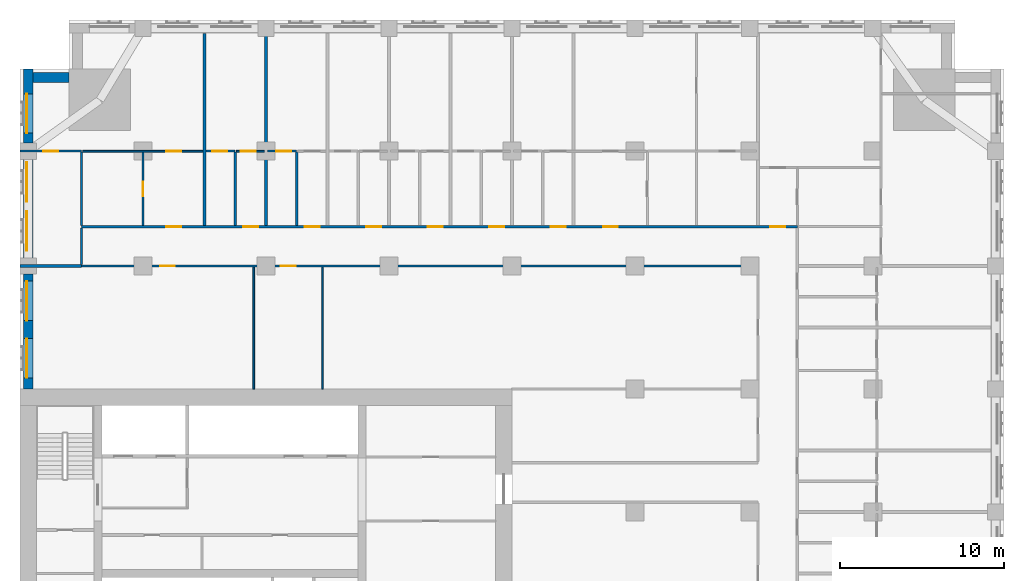
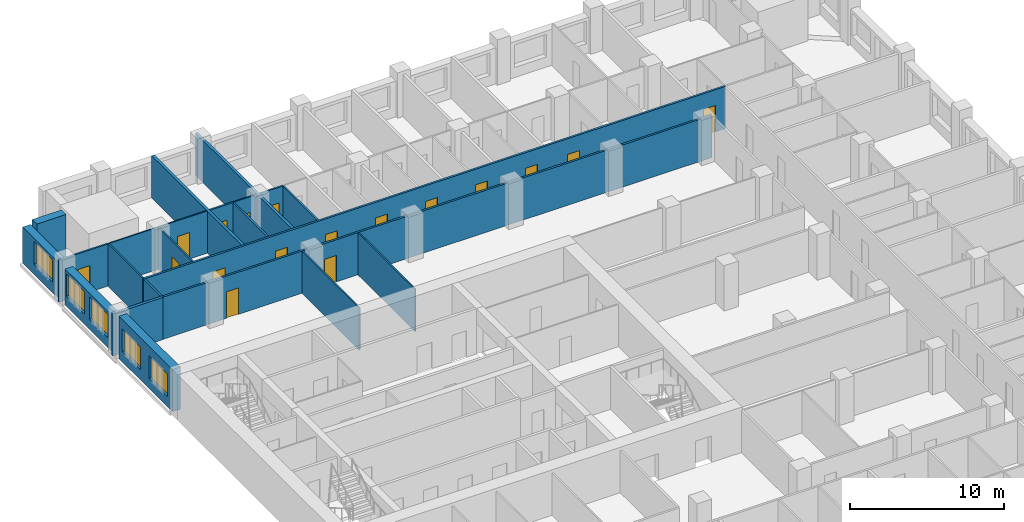
# One storey, part 9 of 15: 21 walls, 17 doors, 5 windows, 22 openings.
"""IFC4 building model written with IfcOpenShell, lengths in metres."""

from ifc_helpers import new_model, si_unit, direction, frame, frame_2d, origin, place, context, subcontext, project, spatial, rectangle, extrude, material, layer, layer_set, type_object, element, fill, save


model = new_model("IFC4")

# Units and contexts
model_context = context("Model", 3, precision=1e-05, world=origin(), true_north=direction((0.0, 1.0)))
body_context = subcontext(model_context, "Body", "Model", "MODEL_VIEW")
ifc_project = project(units=[si_unit("LENGTHUNIT", "METRE"), si_unit("AREAUNIT", "SQUARE_METRE"), si_unit("VOLUMEUNIT", "CUBIC_METRE"), si_unit("PLANEANGLEUNIT", "RADIAN"), si_unit("MASSUNIT", "GRAM", prefix="KILO")], contexts=[model_context])

# Site, building, storey
site_placement = place(None, origin())
site = spatial("IfcSite", under=ifc_project, at=site_placement, CompositionType="ELEMENT")
building_placement = place(site_placement, origin())
building = spatial("IfcBuilding", under=site, at=building_placement, Name="Tamorin Gate", CompositionType="ELEMENT")
storey_placement = place(building_placement, frame((0.0, 0.0, 111.5)))
storey = spatial("IfcBuildingStorey", under=building, at=storey_placement, Name="L27", CompositionType="ELEMENT", Elevation=111.5)

# Wall
ifc_material_1 = material(Name="Precast concrete C40/50", Category="concrete")
ifc_layer_1 = layer(ifc_material_1, 0.60009765625)
ifc_layer_set_1 = layer_set([ifc_layer_1], Name="Precast concrete C40/50")
wall_type_1 = type_object("IfcWallType", Name="Board-marked concrete facade panel 600", PredefinedType="SOLIDWALL", material=ifc_layer_set_1)
wall_1_placement = place(storey_placement, frame((33.0, 101.5, 0.0), z_axis=(0.0, 0.0, 1.0), x_axis=(-1.0, 0.0, 0.0)))
element("IfcWall", 1, at=wall_1_placement, inside=storey, type_object=wall_type_1, Name="Facade panel", PredefinedType="SOLIDWALL", context=body_context, shape_type="SweptSolid", body=[
    extrude(rectangle(XDim=2.199951171875, YDim=0.60009765625, at=frame_2d((1.10009765625, 0.0))), origin(), (0.0, 0.0, 1.0), 3.35009765625),
])

# Wall, opening, window
wall_2_placement = place(storey_placement, frame((30.5, 102.0, 0.0), z_axis=(0.0, 0.0, 1.0), x_axis=(0.0, -1.0, 0.0)))
wall_2 = element("IfcWall", 2, at=wall_2_placement, inside=storey, type_object=wall_type_1, Name="Facade panel", PredefinedType="SOLIDWALL", context=body_context, shape_type="SweptSolid", body=[
    extrude(rectangle(XDim=4.5, YDim=0.60009765625, at=frame_2d((2.25, 0.0))), origin(), (0.0, 0.0, 1.0), 2.85009765625),
])
opening_1_placement = place(wall_2_placement, frame((1.5, 0.0, 0.800048828125)))
opening_1 = element("IfcOpeningElement", 3, at=opening_1_placement, cuts=wall_2, Name="Opening WN1", PredefinedType="OPENING", context=body_context, shape_type="SweptSolid", body=[
    extrude(rectangle(XDim=2.39990234375, YDim=1.800048828125, at=frame_2d((1.199951171875, 0.89990234375))), frame((0.0, 0.31005859375, 0.0), z_axis=(0.0, -1.0, 0.0), x_axis=(1.0, 0.0, 0.0)), (0.0, 0.0, 1.0), 0.6201171875),
])
ifc_material_2 = material(Name="Clear glass in aluminium frame", Category="aluminium")
window_type = type_object("IfcWindowType", Name="Deep-set window 2400x1800", PartitioningType="SINGLE_PANEL", PredefinedType="WINDOW", material=ifc_material_2)
window_1_placement = place(opening_1_placement, origin())
window_1 = element("IfcWindow", 4, at=window_1_placement, inside=storey, type_object=window_type, Name="Deep-set window", OverallHeight=1.800048828125, OverallWidth=2.39990234375, PartitioningType="SINGLE_PANEL", PredefinedType="WINDOW", context=body_context, shape_type="SweptSolid", body=[
    extrude(rectangle(XDim=2.39990234375, YDim=1.800048828125, at=frame_2d((1.199951171875, 0.89990234375))), frame((0.0, -0.070068359375, 0.0), z_axis=(0.0, -1.0, 0.0), x_axis=(1.0, 0.0, 0.0)), (0.0, 0.0, 1.0), 0.06005859375),
])
fill(opening_1, window_1)

# Wall, openings, windows
wall_3_placement = place(storey_placement, frame((30.5, 96.5, 0.0), z_axis=(0.0, 0.0, 1.0), x_axis=(0.0, -1.0, 0.0)))
wall_3 = element("IfcWall", 5, at=wall_3_placement, inside=storey, type_object=wall_type_1, Name="Facade panel", PredefinedType="SOLIDWALL", context=body_context, shape_type="SweptSolid", body=[
    extrude(rectangle(XDim=6.0, YDim=0.60009765625, at=frame_2d((3.0, 0.0))), origin(), (0.0, 0.0, 1.0), 2.85009765625),
])
opening_2_placement = place(wall_3_placement, frame((3.175048828125, 0.0, 0.800048828125)))
opening_2 = element("IfcOpeningElement", 6, at=opening_2_placement, cuts=wall_3, Name="Opening WN1", PredefinedType="OPENING", context=body_context, shape_type="SweptSolid", body=[
    extrude(rectangle(XDim=2.39990234375, YDim=1.800048828125, at=frame_2d((1.199951171875, 0.89990234375))), frame((0.0, 0.31005859375, 0.0), z_axis=(0.0, -1.0, 0.0), x_axis=(1.0, 0.0, 0.0)), (0.0, 0.0, 1.0), 0.6201171875),
])
opening_3_placement = place(wall_3_placement, frame((0.175048828125, 0.0, 0.800048828125)))
opening_3 = element("IfcOpeningElement", 7, at=opening_3_placement, cuts=wall_3, Name="Opening WN1", PredefinedType="OPENING", context=body_context, shape_type="SweptSolid", body=[
    extrude(rectangle(XDim=2.39990234375, YDim=1.800048828125, at=frame_2d((1.199951171875, 0.89990234375))), frame((0.0, 0.31005859375, 0.0), z_axis=(0.0, -1.0, 0.0), x_axis=(1.0, 0.0, 0.0)), (0.0, 0.0, 1.0), 0.6201171875),
])
window_2_placement = place(opening_2_placement, origin())
window_2 = element("IfcWindow", 8, at=window_2_placement, inside=storey, type_object=window_type, Name="Deep-set window", OverallHeight=1.800048828125, OverallWidth=2.39990234375, PartitioningType="SINGLE_PANEL", PredefinedType="WINDOW", context=body_context, shape_type="SweptSolid", body=[
    extrude(rectangle(XDim=2.39990234375, YDim=1.800048828125, at=frame_2d((1.199951171875, 0.89990234375))), frame((0.0, -0.070068359375, 0.0), z_axis=(0.0, -1.0, 0.0), x_axis=(1.0, 0.0, 0.0)), (0.0, 0.0, 1.0), 0.06005859375),
])
fill(opening_2, window_2)
window_3_placement = place(opening_3_placement, origin())
window_3 = element("IfcWindow", 9, at=window_3_placement, inside=storey, type_object=window_type, Name="Deep-set window", OverallHeight=1.800048828125, OverallWidth=2.39990234375, PartitioningType="SINGLE_PANEL", PredefinedType="WINDOW", context=body_context, shape_type="SweptSolid", body=[
    extrude(rectangle(XDim=2.39990234375, YDim=1.800048828125, at=frame_2d((1.199951171875, 0.89990234375))), frame((0.0, -0.070068359375, 0.0), z_axis=(0.0, -1.0, 0.0), x_axis=(1.0, 0.0, 0.0)), (0.0, 0.0, 1.0), 0.06005859375),
])
fill(opening_3, window_3)

wall_4_placement = place(storey_placement, frame((30.5, 89.5, 0.0), z_axis=(0.0, 0.0, 1.0), x_axis=(0.0, -1.0, 0.0)))
wall_4 = element("IfcWall", 10, at=wall_4_placement, inside=storey, type_object=wall_type_1, Name="Facade panel", PredefinedType="SOLIDWALL", context=body_context, shape_type="SweptSolid", body=[
    extrude(rectangle(XDim=7.0, YDim=0.60009765625, at=frame_2d((3.5, 0.0))), origin(), (0.0, 0.0, 1.0), 3.35009765625),
])
opening_4_placement = place(wall_4_placement, frame((3.925048828125, 0.0, 0.800048828125)))
opening_4 = element("IfcOpeningElement", 11, at=opening_4_placement, cuts=wall_4, Name="Opening WN1", PredefinedType="OPENING", context=body_context, shape_type="SweptSolid", body=[
    extrude(rectangle(XDim=2.39990234375, YDim=1.800048828125, at=frame_2d((1.199951171875, 0.89990234375))), frame((0.0, 0.31005859375, 0.0), z_axis=(0.0, -1.0, 0.0), x_axis=(1.0, 0.0, 0.0)), (0.0, 0.0, 1.0), 0.6201171875),
])
opening_5_placement = place(wall_4_placement, frame((0.425048828125, 0.0, 0.800048828125)))
opening_5 = element("IfcOpeningElement", 12, at=opening_5_placement, cuts=wall_4, Name="Opening WN1", PredefinedType="OPENING", context=body_context, shape_type="SweptSolid", body=[
    extrude(rectangle(XDim=2.39990234375, YDim=1.800048828125, at=frame_2d((1.199951171875, 0.89990234375))), frame((0.0, 0.31005859375, 0.0), z_axis=(0.0, -1.0, 0.0), x_axis=(1.0, 0.0, 0.0)), (0.0, 0.0, 1.0), 0.6201171875),
])
window_4_placement = place(opening_4_placement, origin())
window_4 = element("IfcWindow", 13, at=window_4_placement, inside=storey, type_object=window_type, Name="Deep-set window", OverallHeight=1.800048828125, OverallWidth=2.39990234375, PartitioningType="SINGLE_PANEL", PredefinedType="WINDOW", context=body_context, shape_type="SweptSolid", body=[
    extrude(rectangle(XDim=2.39990234375, YDim=1.800048828125, at=frame_2d((1.199951171875, 0.89990234375))), frame((0.0, -0.070068359375, 0.0), z_axis=(0.0, -1.0, 0.0), x_axis=(1.0, 0.0, 0.0)), (0.0, 0.0, 1.0), 0.06005859375),
])
fill(opening_4, window_4)
window_5_placement = place(opening_5_placement, origin())
window_5 = element("IfcWindow", 14, at=window_5_placement, inside=storey, type_object=window_type, Name="Deep-set window", OverallHeight=1.800048828125, OverallWidth=2.39990234375, PartitioningType="SINGLE_PANEL", PredefinedType="WINDOW", context=body_context, shape_type="SweptSolid", body=[
    extrude(rectangle(XDim=2.39990234375, YDim=1.800048828125, at=frame_2d((1.199951171875, 0.89990234375))), frame((0.0, -0.070068359375, 0.0), z_axis=(0.0, -1.0, 0.0), x_axis=(1.0, 0.0, 0.0)), (0.0, 0.0, 1.0), 0.06005859375),
])
fill(opening_5, window_5)

# Wall, openings, doors
ifc_material_3 = material(Name="Gypsum board partition")
ifc_layer_2 = layer(ifc_material_3, 0.14990234375)
ifc_layer_set_2 = layer_set([ifc_layer_2], Name="Corridor wall 150")
wall_type_2 = type_object("IfcWallType", Name="Corridor wall 150", PredefinedType="PARTITIONING", material=ifc_layer_set_2)
wall_5_placement = place(storey_placement, frame((33.75, 90.0, 0.0), z_axis=(0.0, 0.0, 1.0), x_axis=(1.0, 0.0, 0.0)))
wall_5 = element("IfcWall", 15, at=wall_5_placement, inside=storey, type_object=wall_type_2, Name="Corridor wall 150", PredefinedType="PARTITIONING", context=body_context, shape_type="SweptSolid", body=[
    extrude(rectangle(XDim=41.25, YDim=0.14990234375, at=frame_2d((20.625, 0.0))), origin(), (0.0, 0.0, 1.0), 3.35009765625),
])
opening_6_placement = place(wall_5_placement, frame((4.800048828125, 0.0, 0.0)))
opening_6 = element("IfcOpeningElement", 16, at=opening_6_placement, cuts=wall_5, Name="Opening DH6092", PredefinedType="OPENING", context=body_context, shape_type="SweptSolid", body=[
    extrude(rectangle(XDim=0.89990234375, YDim=2.10009765625, at=frame_2d((0.449951171875, 1.050048828125))), frame((0.0, 0.0849609375, 0.0), z_axis=(0.0, -1.0, 0.0), x_axis=(1.0, 0.0, 0.0)), (0.0, 0.0, 1.0), 0.169921875),
])
opening_7_placement = place(wall_5_placement, frame((12.14990234375, 0.0, 0.0)))
opening_7 = element("IfcOpeningElement", 17, at=opening_7_placement, cuts=wall_5, Name="Opening DH6093", PredefinedType="OPENING", context=body_context, shape_type="SweptSolid", body=[
    extrude(rectangle(XDim=0.89990234375, YDim=2.10009765625, at=frame_2d((0.449951171875, 1.050048828125))), frame((0.0, 0.0849609375, 0.0), z_axis=(0.0, -1.0, 0.0), x_axis=(1.0, 0.0, 0.0)), (0.0, 0.0, 1.0), 0.169921875),
])
ifc_material_4 = material(Name="Timber door leaf", Category="wood")
door_type_1 = type_object("IfcDoorType", Name="Door 900 x 2100 FD30S", OperationType="NOTDEFINED", PredefinedType="DOOR", material=ifc_material_4)
door_1_placement = place(opening_6_placement, origin())
door_1 = element("IfcDoor", 18, at=door_1_placement, inside=storey, type_object=door_type_1, Name="Door DH6092", OperationType="SINGLE_SWING_RIGHT", OverallHeight=2.10009765625, OverallWidth=0.89990234375, PredefinedType="DOOR", context=body_context, shape_type="SweptSolid", body=[
    extrude(rectangle(XDim=0.89990234375, YDim=2.10009765625, at=frame_2d((0.449951171875, 1.050048828125))), frame((0.0, 0.02490234375, 0.0), z_axis=(0.0, -1.0, 0.0), x_axis=(1.0, 0.0, 0.0)), (0.0, 0.0, 1.0), 0.050048828125),
])
fill(opening_6, door_1)
door_2_placement = place(opening_7_placement, origin())
door_2 = element("IfcDoor", 19, at=door_2_placement, inside=storey, type_object=door_type_1, Name="Door DH6093", OperationType="SINGLE_SWING_LEFT", OverallHeight=2.10009765625, OverallWidth=0.89990234375, PredefinedType="DOOR", context=body_context, shape_type="SweptSolid", body=[
    extrude(rectangle(XDim=0.89990234375, YDim=2.10009765625, at=frame_2d((0.449951171875, 1.050048828125))), frame((0.0, 0.02490234375, 0.0), z_axis=(0.0, -1.0, 0.0), x_axis=(1.0, 0.0, 0.0)), (0.0, 0.0, 1.0), 0.050048828125),
])
fill(opening_7, door_2)

wall_6_placement = place(storey_placement, frame((33.75, 92.39990234375, 0.0), z_axis=(0.0, 0.0, 1.0), x_axis=(1.0, 0.0, 0.0)))
wall_6 = element("IfcWall", 20, at=wall_6_placement, inside=storey, type_object=wall_type_2, Name="Corridor wall 150", PredefinedType="PARTITIONING", context=body_context, shape_type="SweptSolid", body=[
    extrude(rectangle(XDim=43.64990234375, YDim=0.14990234375, at=frame_2d((21.824951171875, 0.0))), origin(), (0.0, 0.0, 1.0), 3.35009765625),
])
opening_8_placement = place(wall_6_placement, frame((5.175048828125, 0.0, 0.0)))
opening_8 = element("IfcOpeningElement", 21, at=opening_8_placement, cuts=wall_6, Name="Opening DH6026", PredefinedType="OPENING", context=body_context, shape_type="SweptSolid", body=[
    extrude(rectangle(XDim=0.89990234375, YDim=2.10009765625, at=frame_2d((0.449951171875, 1.050048828125))), frame((0.0, 0.0849609375, 0.0), z_axis=(0.0, -1.0, 0.0), x_axis=(1.0, 0.0, 0.0)), (0.0, 0.0, 1.0), 0.169921875),
])
opening_9_placement = place(wall_6_placement, frame((9.862548828125, 0.0, 0.0)))
opening_9 = element("IfcOpeningElement", 22, at=opening_9_placement, cuts=wall_6, Name="Opening DH6029", PredefinedType="OPENING", context=body_context, shape_type="SweptSolid", body=[
    extrude(rectangle(XDim=0.89990234375, YDim=2.10009765625, at=frame_2d((0.449951171875, 1.050048828125))), frame((0.0, 0.0849609375, 0.0), z_axis=(0.0, -1.0, 0.0), x_axis=(1.0, 0.0, 0.0)), (0.0, 0.0, 1.0), 0.169921875),
])
opening_10_placement = place(wall_6_placement, frame((13.612548828125, 0.0, 0.0)))
opening_10 = element("IfcOpeningElement", 23, at=opening_10_placement, cuts=wall_6, Name="Opening DH6032", PredefinedType="OPENING", context=body_context, shape_type="SweptSolid", body=[
    extrude(rectangle(XDim=0.89990234375, YDim=2.10009765625, at=frame_2d((0.449951171875, 1.050048828125))), frame((0.0, 0.0849609375, 0.0), z_axis=(0.0, -1.0, 0.0), x_axis=(1.0, 0.0, 0.0)), (0.0, 0.0, 1.0), 0.169921875),
])
opening_11_placement = place(wall_6_placement, frame((17.362548828125, 0.0, 0.0)))
opening_11 = element("IfcOpeningElement", 24, at=opening_11_placement, cuts=wall_6, Name="Opening DH6035", PredefinedType="OPENING", context=body_context, shape_type="SweptSolid", body=[
    extrude(rectangle(XDim=0.89990234375, YDim=2.10009765625, at=frame_2d((0.449951171875, 1.050048828125))), frame((0.0, 0.0849609375, 0.0), z_axis=(0.0, -1.0, 0.0), x_axis=(1.0, 0.0, 0.0)), (0.0, 0.0, 1.0), 0.169921875),
])
opening_12_placement = place(wall_6_placement, frame((21.112548828125, 0.0, 0.0)))
opening_12 = element("IfcOpeningElement", 25, at=opening_12_placement, cuts=wall_6, Name="Opening DH6038", PredefinedType="OPENING", context=body_context, shape_type="SweptSolid", body=[
    extrude(rectangle(XDim=0.89990234375, YDim=2.10009765625, at=frame_2d((0.449951171875, 1.050048828125))), frame((0.0, 0.0849609375, 0.0), z_axis=(0.0, -1.0, 0.0), x_axis=(1.0, 0.0, 0.0)), (0.0, 0.0, 1.0), 0.169921875),
])
opening_13_placement = place(wall_6_placement, frame((24.862548828125, 0.0, 0.0)))
opening_13 = element("IfcOpeningElement", 26, at=opening_13_placement, cuts=wall_6, Name="Opening DH6041", PredefinedType="OPENING", context=body_context, shape_type="SweptSolid", body=[
    extrude(rectangle(XDim=0.89990234375, YDim=2.10009765625, at=frame_2d((0.449951171875, 1.050048828125))), frame((0.0, 0.0849609375, 0.0), z_axis=(0.0, -1.0, 0.0), x_axis=(1.0, 0.0, 0.0)), (0.0, 0.0, 1.0), 0.169921875),
])
opening_14_placement = place(wall_6_placement, frame((28.612548828125, 0.0, 0.0)))
opening_14 = element("IfcOpeningElement", 27, at=opening_14_placement, cuts=wall_6, Name="Opening DH6044", PredefinedType="OPENING", context=body_context, shape_type="SweptSolid", body=[
    extrude(rectangle(XDim=0.89990234375, YDim=2.10009765625, at=frame_2d((0.449951171875, 1.050048828125))), frame((0.0, 0.0849609375, 0.0), z_axis=(0.0, -1.0, 0.0), x_axis=(1.0, 0.0, 0.0)), (0.0, 0.0, 1.0), 0.169921875),
])
opening_15_placement = place(wall_6_placement, frame((31.800048828125, 0.0, 0.0)))
opening_15 = element("IfcOpeningElement", 28, at=opening_15_placement, cuts=wall_6, Name="Opening DH6046", PredefinedType="OPENING", context=body_context, shape_type="SweptSolid", body=[
    extrude(rectangle(XDim=0.89990234375, YDim=2.10009765625, at=frame_2d((0.449951171875, 1.050048828125))), frame((0.0, 0.0849609375, 0.0), z_axis=(0.0, -1.0, 0.0), x_axis=(1.0, 0.0, 0.0)), (0.0, 0.0, 1.0), 0.169921875),
])
opening_16_placement = place(wall_6_placement, frame((42.0, 0.0, 0.0)))
opening_16 = element("IfcOpeningElement", 29, at=opening_16_placement, cuts=wall_6, Name="Opening DH6080", PredefinedType="OPENING", context=body_context, shape_type="SweptSolid", body=[
    extrude(rectangle(XDim=0.89990234375, YDim=2.10009765625, at=frame_2d((0.449951171875, 1.050048828125))), frame((0.0, 0.0849609375, 0.0), z_axis=(0.0, -1.0, 0.0), x_axis=(1.0, 0.0, 0.0)), (0.0, 0.0, 1.0), 0.169921875),
])
door_3_placement = place(opening_8_placement, origin())
door_3 = element("IfcDoor", 30, at=door_3_placement, inside=storey, type_object=door_type_1, Name="Door DH6026", OperationType="SINGLE_SWING_LEFT", OverallHeight=2.10009765625, OverallWidth=0.89990234375, PredefinedType="DOOR", context=body_context, shape_type="SweptSolid", body=[
    extrude(rectangle(XDim=0.89990234375, YDim=2.10009765625, at=frame_2d((0.449951171875, 1.050048828125))), frame((0.0, 0.02490234375, 0.0), z_axis=(0.0, -1.0, 0.0), x_axis=(1.0, 0.0, 0.0)), (0.0, 0.0, 1.0), 0.050048828125),
])
fill(opening_8, door_3)
door_4_placement = place(opening_9_placement, origin())
door_4 = element("IfcDoor", 31, at=door_4_placement, inside=storey, type_object=door_type_1, Name="Door DH6029", OperationType="SINGLE_SWING_LEFT", OverallHeight=2.10009765625, OverallWidth=0.89990234375, PredefinedType="DOOR", context=body_context, shape_type="SweptSolid", body=[
    extrude(rectangle(XDim=0.89990234375, YDim=2.10009765625, at=frame_2d((0.449951171875, 1.050048828125))), frame((0.0, 0.02490234375, 0.0), z_axis=(0.0, -1.0, 0.0), x_axis=(1.0, 0.0, 0.0)), (0.0, 0.0, 1.0), 0.050048828125),
])
fill(opening_9, door_4)
door_5_placement = place(opening_10_placement, origin())
door_5 = element("IfcDoor", 32, at=door_5_placement, inside=storey, type_object=door_type_1, Name="Door DH6032", OperationType="SINGLE_SWING_LEFT", OverallHeight=2.10009765625, OverallWidth=0.89990234375, PredefinedType="DOOR", context=body_context, shape_type="SweptSolid", body=[
    extrude(rectangle(XDim=0.89990234375, YDim=2.10009765625, at=frame_2d((0.449951171875, 1.050048828125))), frame((0.0, 0.02490234375, 0.0), z_axis=(0.0, -1.0, 0.0), x_axis=(1.0, 0.0, 0.0)), (0.0, 0.0, 1.0), 0.050048828125),
])
fill(opening_10, door_5)
door_6_placement = place(opening_11_placement, origin())
door_6 = element("IfcDoor", 33, at=door_6_placement, inside=storey, type_object=door_type_1, Name="Door DH6035", OperationType="SINGLE_SWING_LEFT", OverallHeight=2.10009765625, OverallWidth=0.89990234375, PredefinedType="DOOR", context=body_context, shape_type="SweptSolid", body=[
    extrude(rectangle(XDim=0.89990234375, YDim=2.10009765625, at=frame_2d((0.449951171875, 1.050048828125))), frame((0.0, 0.02490234375, 0.0), z_axis=(0.0, -1.0, 0.0), x_axis=(1.0, 0.0, 0.0)), (0.0, 0.0, 1.0), 0.050048828125),
])
fill(opening_11, door_6)
door_7_placement = place(opening_12_placement, origin())
door_7 = element("IfcDoor", 34, at=door_7_placement, inside=storey, type_object=door_type_1, Name="Door DH6038", OperationType="SINGLE_SWING_LEFT", OverallHeight=2.10009765625, OverallWidth=0.89990234375, PredefinedType="DOOR", context=body_context, shape_type="SweptSolid", body=[
    extrude(rectangle(XDim=0.89990234375, YDim=2.10009765625, at=frame_2d((0.449951171875, 1.050048828125))), frame((0.0, 0.02490234375, 0.0), z_axis=(0.0, -1.0, 0.0), x_axis=(1.0, 0.0, 0.0)), (0.0, 0.0, 1.0), 0.050048828125),
])
fill(opening_12, door_7)
door_8_placement = place(opening_13_placement, origin())
door_8 = element("IfcDoor", 35, at=door_8_placement, inside=storey, type_object=door_type_1, Name="Door DH6041", OperationType="SINGLE_SWING_LEFT", OverallHeight=2.10009765625, OverallWidth=0.89990234375, PredefinedType="DOOR", context=body_context, shape_type="SweptSolid", body=[
    extrude(rectangle(XDim=0.89990234375, YDim=2.10009765625, at=frame_2d((0.449951171875, 1.050048828125))), frame((0.0, 0.02490234375, 0.0), z_axis=(0.0, -1.0, 0.0), x_axis=(1.0, 0.0, 0.0)), (0.0, 0.0, 1.0), 0.050048828125),
])
fill(opening_13, door_8)
door_9_placement = place(opening_14_placement, origin())
door_9 = element("IfcDoor", 36, at=door_9_placement, inside=storey, type_object=door_type_1, Name="Door DH6044", OperationType="SINGLE_SWING_LEFT", OverallHeight=2.10009765625, OverallWidth=0.89990234375, PredefinedType="DOOR", context=body_context, shape_type="SweptSolid", body=[
    extrude(rectangle(XDim=0.89990234375, YDim=2.10009765625, at=frame_2d((0.449951171875, 1.050048828125))), frame((0.0, 0.02490234375, 0.0), z_axis=(0.0, -1.0, 0.0), x_axis=(1.0, 0.0, 0.0)), (0.0, 0.0, 1.0), 0.050048828125),
])
fill(opening_14, door_9)
door_10_placement = place(opening_15_placement, origin())
door_10 = element("IfcDoor", 37, at=door_10_placement, inside=storey, type_object=door_type_1, Name="Door DH6046", OperationType="SINGLE_SWING_LEFT", OverallHeight=2.10009765625, OverallWidth=0.89990234375, PredefinedType="DOOR", context=body_context, shape_type="SweptSolid", body=[
    extrude(rectangle(XDim=0.89990234375, YDim=2.10009765625, at=frame_2d((0.449951171875, 1.050048828125))), frame((0.0, 0.02490234375, 0.0), z_axis=(0.0, -1.0, 0.0), x_axis=(1.0, 0.0, 0.0)), (0.0, 0.0, 1.0), 0.050048828125),
])
fill(opening_15, door_10)
door_11_placement = place(opening_16_placement, origin())
door_11 = element("IfcDoor", 38, at=door_11_placement, inside=storey, type_object=door_type_1, Name="Door DH6080", OperationType="SINGLE_SWING_RIGHT", OverallHeight=2.10009765625, OverallWidth=0.89990234375, PredefinedType="DOOR", context=body_context, shape_type="SweptSolid", body=[
    extrude(rectangle(XDim=0.89990234375, YDim=2.10009765625, at=frame_2d((0.449951171875, 1.050048828125))), frame((0.0, 0.02490234375, 0.0), z_axis=(0.0, -1.0, 0.0), x_axis=(1.0, 0.0, 0.0)), (0.0, 0.0, 1.0), 0.050048828125),
])
fill(opening_16, door_11)

# Walls
wall_7_placement = place(storey_placement, frame((33.75, 90.10009765625, 0.0), z_axis=(0.0, 0.0, 1.0), x_axis=(0.0, 1.0, 0.0)))
element("IfcWall", 39, at=wall_7_placement, inside=storey, type_object=wall_type_2, Name="Corridor wall 150", PredefinedType="PARTITIONING", context=body_context, shape_type="SweptSolid", body=[
    extrude(rectangle(XDim=2.224853515625, YDim=0.14990234375, at=frame_2d((1.1123046875, 0.0))), origin(), (0.0, 0.0, 1.0), 3.35009765625),
])
ifc_layer_3 = layer(ifc_material_3, 0.199951171875)
ifc_layer_set_3 = layer_set([ifc_layer_3], Name="Demising wall 200")
wall_type_3 = type_object("IfcWallType", Name="Demising wall 200", PredefinedType="PARTITIONING", material=ifc_layer_set_3)
wall_8_placement = place(storey_placement, frame((30.0, 90.0, 0.0), z_axis=(0.0, 0.0, 1.0), x_axis=(1.0, 0.0, 0.0)))
element("IfcWall", 40, at=wall_8_placement, inside=storey, type_object=wall_type_3, Name="Demising wall 200", PredefinedType="PARTITIONING", context=body_context, shape_type="SweptSolid", body=[
    extrude(rectangle(XDim=3.75, YDim=0.199951171875, at=frame_2d((1.875, 0.0))), origin(), (0.0, 0.0, 1.0), 3.35009765625),
])
wall_9_placement = place(storey_placement, frame((41.25, 92.47509765625, 0.0), z_axis=(0.0, 0.0, 1.0), x_axis=(0.0, 1.0, 0.0)))
element("IfcWall", 41, at=wall_9_placement, inside=storey, type_object=wall_type_3, Name="Demising wall 200", PredefinedType="PARTITIONING", context=body_context, shape_type="SweptSolid", body=[
    extrude(rectangle(XDim=11.71484375, YDim=0.199951171875, at=frame_2d((5.857421875, 0.0))), origin(), (0.0, 0.0, 1.0), 3.35009765625),
])
wall_10_placement = place(storey_placement, frame((45.0, 92.47509765625, 0.0), z_axis=(0.0, 0.0, 1.0), x_axis=(0.0, 1.0, 0.0)))
element("IfcWall", 42, at=wall_10_placement, inside=storey, type_object=wall_type_3, Name="Demising wall 200", PredefinedType="PARTITIONING", context=body_context, shape_type="SweptSolid", body=[
    extrude(rectangle(XDim=12.52490234375, YDim=0.199951171875, at=frame_2d((6.262451171875, 0.0))), origin(), (0.0, 0.0, 1.0), 3.35009765625),
])

# Wall, opening, door
ifc_layer_4 = layer(ifc_material_3, 0.10009765625)
ifc_layer_set_4 = layer_set([ifc_layer_4], Name="Room partition 100")
wall_type_4 = type_object("IfcWallType", Name="Room partition 100", PredefinedType="PARTITIONING", material=ifc_layer_set_4)
wall_11_placement = place(storey_placement, frame((33.8125, 97.0, 0.0), z_axis=(0.0, 0.0, 1.0), x_axis=(1.0, 0.0, 0.0)))
wall_11 = element("IfcWall", 43, at=wall_11_placement, inside=storey, type_object=wall_type_4, Name="Room partition 100", PredefinedType="PARTITIONING", context=body_context, shape_type="SweptSolid", body=[
    extrude(rectangle(XDim=7.33740234375, YDim=0.10009765625, at=frame_2d((3.668701171875, 0.0))), origin(), (0.0, 0.0, 1.0), 3.35009765625),
])
opening_17_placement = place(wall_11_placement, frame((5.112548828125, 0.0, 0.0)))
opening_17 = element("IfcOpeningElement", 44, at=opening_17_placement, cuts=wall_11, Name="Opening DH6027", PredefinedType="OPENING", context=body_context, shape_type="SweptSolid", body=[
    extrude(rectangle(XDim=0.89990234375, YDim=2.10009765625, at=frame_2d((0.449951171875, 1.050048828125))), frame((0.0, 0.06005859375, 0.0), z_axis=(0.0, -1.0, 0.0), x_axis=(1.0, 0.0, 0.0)), (0.0, 0.0, 1.0), 0.1201171875),
])
door_type_2 = type_object("IfcDoorType", Name="Door 900 x 2100", OperationType="NOTDEFINED", PredefinedType="DOOR", material=ifc_material_4)
door_12_placement = place(opening_17_placement, origin())
door_12 = element("IfcDoor", 45, at=door_12_placement, inside=storey, type_object=door_type_2, Name="Door DH6027", OperationType="SINGLE_SWING_RIGHT", OverallHeight=2.10009765625, OverallWidth=0.89990234375, PredefinedType="DOOR", context=body_context, shape_type="SweptSolid", body=[
    extrude(rectangle(XDim=0.89990234375, YDim=2.10009765625, at=frame_2d((0.449951171875, 1.050048828125))), frame((0.0, 0.02490234375, 0.0), z_axis=(0.0, -1.0, 0.0), x_axis=(1.0, 0.0, 0.0)), (0.0, 0.0, 1.0), 0.050048828125),
])
fill(opening_17, door_12)

wall_12_placement = place(storey_placement, frame((43.1875, 97.0, 0.0), z_axis=(0.0, 0.0, 1.0), x_axis=(1.0, 0.0, 0.0)))
wall_12 = element("IfcWall", 46, at=wall_12_placement, inside=storey, type_object=wall_type_4, Name="Room partition 100", PredefinedType="PARTITIONING", context=body_context, shape_type="SweptSolid", body=[
    extrude(rectangle(XDim=1.71240234375, YDim=0.10009765625, at=frame_2d((0.856201171875, 0.0))), origin(), (0.0, 0.0, 1.0), 3.35009765625),
])
opening_18_placement = place(wall_12_placement, frame((0.27490234375, 0.0, 0.0)))
opening_18 = element("IfcOpeningElement", 47, at=opening_18_placement, cuts=wall_12, Name="Opening DH6030", PredefinedType="OPENING", context=body_context, shape_type="SweptSolid", body=[
    extrude(rectangle(XDim=0.89990234375, YDim=2.10009765625, at=frame_2d((0.449951171875, 1.050048828125))), frame((0.0, 0.06005859375, 0.0), z_axis=(0.0, -1.0, 0.0), x_axis=(1.0, 0.0, 0.0)), (0.0, 0.0, 1.0), 0.1201171875),
])
door_13_placement = place(opening_18_placement, origin())
door_13 = element("IfcDoor", 48, at=door_13_placement, inside=storey, type_object=door_type_2, Name="Door DH6030", OperationType="SINGLE_SWING_RIGHT", OverallHeight=2.10009765625, OverallWidth=0.89990234375, PredefinedType="DOOR", context=body_context, shape_type="SweptSolid", body=[
    extrude(rectangle(XDim=0.89990234375, YDim=2.10009765625, at=frame_2d((0.449951171875, 1.050048828125))), frame((0.0, 0.02490234375, 0.0), z_axis=(0.0, -1.0, 0.0), x_axis=(1.0, 0.0, 0.0)), (0.0, 0.0, 1.0), 0.050048828125),
])
fill(opening_18, door_13)

wall_13_placement = place(storey_placement, frame((37.5, 92.47509765625, 0.0), z_axis=(0.0, 0.0, 1.0), x_axis=(0.0, 1.0, 0.0)))
wall_13 = element("IfcWall", 49, at=wall_13_placement, inside=storey, type_object=wall_type_4, Name="Room partition 100", PredefinedType="PARTITIONING", context=body_context, shape_type="SweptSolid", body=[
    extrude(rectangle(XDim=4.474853515625, YDim=0.10009765625, at=frame_2d((2.2373046875, 0.0))), origin(), (0.0, 0.0, 1.0), 3.35009765625),
])
opening_19_placement = place(wall_13_placement, frame((1.77490234375, 0.0, 0.0)))
opening_19 = element("IfcOpeningElement", 50, at=opening_19_placement, cuts=wall_13, Name="Opening DH6025", PredefinedType="OPENING", context=body_context, shape_type="SweptSolid", body=[
    extrude(rectangle(XDim=0.89990234375, YDim=2.10009765625, at=frame_2d((0.449951171875, 1.050048828125))), frame((0.0, 0.06005859375, 0.0), z_axis=(0.0, -1.0, 0.0), x_axis=(1.0, 0.0, 0.0)), (0.0, 0.0, 1.0), 0.1201171875),
])
door_14_placement = place(opening_19_placement, origin())
door_14 = element("IfcDoor", 51, at=door_14_placement, inside=storey, type_object=door_type_2, Name="Door DH6025", OperationType="SINGLE_SWING_RIGHT", OverallHeight=2.10009765625, OverallWidth=0.89990234375, PredefinedType="DOOR", context=body_context, shape_type="SweptSolid", body=[
    extrude(rectangle(XDim=0.89990234375, YDim=2.10009765625, at=frame_2d((0.449951171875, 1.050048828125))), frame((0.0, 0.02490234375, 0.0), z_axis=(0.0, -1.0, 0.0), x_axis=(1.0, 0.0, 0.0)), (0.0, 0.0, 1.0), 0.050048828125),
])
fill(opening_19, door_14)

# Walls
for number, where, z_axis, x_axis, name in (
    (52, (44.25, 82.5, 0.0), (0.0, 0.0, 1.0), (0.0, 1.0, 0.0), "Room partition 100"),
    (53, (48.449951171875, 82.5, 0.0), (0.0, 0.0, 1.0), (0.0, 1.0, 0.0), "Room partition 100"),
):
    element("IfcWall", number, at=place(storey_placement, frame(where, z_axis=z_axis, x_axis=x_axis)), inside=storey, type_object=wall_type_4, Name=name, PredefinedType="PARTITIONING", context=body_context, shape_type="SweptSolid", body=[
        extrude(rectangle(XDim=7.425048828125, YDim=0.10009765625, at=frame_2d((3.71240234375, 0.0))), origin(), (0.0, 0.0, 1.0), 3.35009765625),
    ])

# Wall, opening, door
ifc_layer_5 = layer(ifc_material_3, 0.125)
ifc_layer_set_5 = layer_set([ifc_layer_5], Name="Wet wall 125")
wall_type_5 = type_object("IfcWallType", Name="Wet wall 125", PredefinedType="PARTITIONING", material=ifc_layer_set_5)
wall_14_placement = place(storey_placement, frame((30.0, 97.0, 0.0), z_axis=(0.0, 0.0, 1.0), x_axis=(1.0, 0.0, 0.0)))
wall_14 = element("IfcWall", 54, at=wall_14_placement, inside=storey, type_object=wall_type_5, Name="Wet wall 125", PredefinedType="PARTITIONING", context=body_context, shape_type="SweptSolid", body=[
    extrude(rectangle(XDim=3.75, YDim=0.125, at=frame_2d((1.875, 0.0))), origin(), (0.0, 0.0, 1.0), 3.35009765625),
])
opening_20_placement = place(wall_14_placement, frame((1.425048828125, 0.0, 0.0)))
opening_20 = element("IfcOpeningElement", 55, at=opening_20_placement, cuts=wall_14, Name="Opening DH6024", PredefinedType="OPENING", context=body_context, shape_type="SweptSolid", body=[
    extrude(rectangle(XDim=0.89990234375, YDim=2.10009765625, at=frame_2d((0.449951171875, 1.050048828125))), frame((0.0, 0.072509765625, 0.0), z_axis=(0.0, -1.0, 0.0), x_axis=(1.0, 0.0, 0.0)), (0.0, 0.0, 1.0), 0.14501953125),
])
door_15_placement = place(opening_20_placement, origin())
door_15 = element("IfcDoor", 56, at=door_15_placement, inside=storey, type_object=door_type_2, Name="Door DH6024", OperationType="SINGLE_SWING_RIGHT", OverallHeight=2.10009765625, OverallWidth=0.89990234375, PredefinedType="DOOR", context=body_context, shape_type="SweptSolid", body=[
    extrude(rectangle(XDim=0.89990234375, YDim=2.10009765625, at=frame_2d((0.449951171875, 1.050048828125))), frame((0.0, 0.02490234375, 0.0), z_axis=(0.0, -1.0, 0.0), x_axis=(1.0, 0.0, 0.0)), (0.0, 0.0, 1.0), 0.050048828125),
])
fill(opening_20, door_15)

wall_15_placement = place(storey_placement, frame((41.35009765625, 97.0, 0.0), z_axis=(0.0, 0.0, 1.0), x_axis=(1.0, 0.0, 0.0)))
wall_15 = element("IfcWall", 57, at=wall_15_placement, inside=storey, type_object=wall_type_5, Name="Wet wall 125", PredefinedType="PARTITIONING", context=body_context, shape_type="SweptSolid", body=[
    extrude(rectangle(XDim=1.77490234375, YDim=0.125, at=frame_2d((0.887451171875, 0.0))), origin(), (0.0, 0.0, 1.0), 3.35009765625),
])
opening_21_placement = place(wall_15_placement, frame((0.387451171875, 0.0, 0.0)))
opening_21 = element("IfcOpeningElement", 58, at=opening_21_placement, cuts=wall_15, Name="Opening DH6028", PredefinedType="OPENING", context=body_context, shape_type="SweptSolid", body=[
    extrude(rectangle(XDim=0.89990234375, YDim=2.10009765625, at=frame_2d((0.449951171875, 1.050048828125))), frame((0.0, 0.072509765625, 0.0), z_axis=(0.0, -1.0, 0.0), x_axis=(1.0, 0.0, 0.0)), (0.0, 0.0, 1.0), 0.14501953125),
])
door_16_placement = place(opening_21_placement, origin())
door_16 = element("IfcDoor", 59, at=door_16_placement, inside=storey, type_object=door_type_2, Name="Door DH6028", OperationType="SINGLE_SWING_RIGHT", OverallHeight=2.10009765625, OverallWidth=0.89990234375, PredefinedType="DOOR", context=body_context, shape_type="SweptSolid", body=[
    extrude(rectangle(XDim=0.89990234375, YDim=2.10009765625, at=frame_2d((0.449951171875, 1.050048828125))), frame((0.0, 0.02490234375, 0.0), z_axis=(0.0, -1.0, 0.0), x_axis=(1.0, 0.0, 0.0)), (0.0, 0.0, 1.0), 0.050048828125),
])
fill(opening_21, door_16)

wall_16_placement = place(storey_placement, frame((45.10009765625, 97.0, 0.0), z_axis=(0.0, 0.0, 1.0), x_axis=(1.0, 0.0, 0.0)))
wall_16 = element("IfcWall", 60, at=wall_16_placement, inside=storey, type_object=wall_type_5, Name="Wet wall 125", PredefinedType="PARTITIONING", context=body_context, shape_type="SweptSolid", body=[
    extrude(rectangle(XDim=1.77490234375, YDim=0.125, at=frame_2d((0.887451171875, 0.0))), origin(), (0.0, 0.0, 1.0), 3.35009765625),
])
opening_22_placement = place(wall_16_placement, frame((0.53759765625, 0.0, 0.0)))
opening_22 = element("IfcOpeningElement", 61, at=opening_22_placement, cuts=wall_16, Name="Opening DH6031", PredefinedType="OPENING", context=body_context, shape_type="SweptSolid", body=[
    extrude(rectangle(XDim=0.89990234375, YDim=2.10009765625, at=frame_2d((0.449951171875, 1.050048828125))), frame((0.0, 0.072509765625, 0.0), z_axis=(0.0, -1.0, 0.0), x_axis=(1.0, 0.0, 0.0)), (0.0, 0.0, 1.0), 0.14501953125),
])
door_17_placement = place(opening_22_placement, origin())
door_17 = element("IfcDoor", 62, at=door_17_placement, inside=storey, type_object=door_type_2, Name="Door DH6031", OperationType="SINGLE_SWING_LEFT", OverallHeight=2.10009765625, OverallWidth=0.89990234375, PredefinedType="DOOR", context=body_context, shape_type="SweptSolid", body=[
    extrude(rectangle(XDim=0.89990234375, YDim=2.10009765625, at=frame_2d((0.449951171875, 1.050048828125))), frame((0.0, 0.02490234375, 0.0), z_axis=(0.0, -1.0, 0.0), x_axis=(1.0, 0.0, 0.0)), (0.0, 0.0, 1.0), 0.050048828125),
])
fill(opening_22, door_17)

# Walls
for number, where, z_axis, x_axis, name in (
    (63, (33.75, 92.47509765625, 0.0), (0.0, 0.0, 1.0), (0.0, 1.0, 0.0), "Wet wall 125"),
    (64, (43.125, 92.47509765625, 0.0), (0.0, 0.0, 1.0), (0.0, 1.0, 0.0), "Wet wall 125"),
    (65, (46.875, 92.47509765625, 0.0), (0.0, 0.0, 1.0), (0.0, 1.0, 0.0), "Wet wall 125"),
):
    element("IfcWall", number, at=place(storey_placement, frame(where, z_axis=z_axis, x_axis=x_axis)), inside=storey, type_object=wall_type_5, Name=name, PredefinedType="PARTITIONING", context=body_context, shape_type="SweptSolid", body=[
        extrude(rectangle(XDim=4.46240234375, YDim=0.125, at=frame_2d((2.231201171875, 0.0))), origin(), (0.0, 0.0, 1.0), 3.35009765625),
    ])

save(model, "model.ifc")
